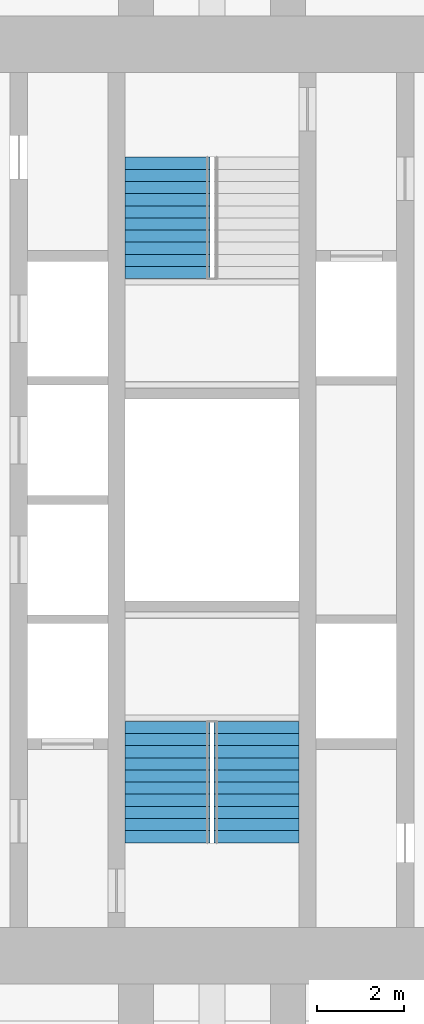
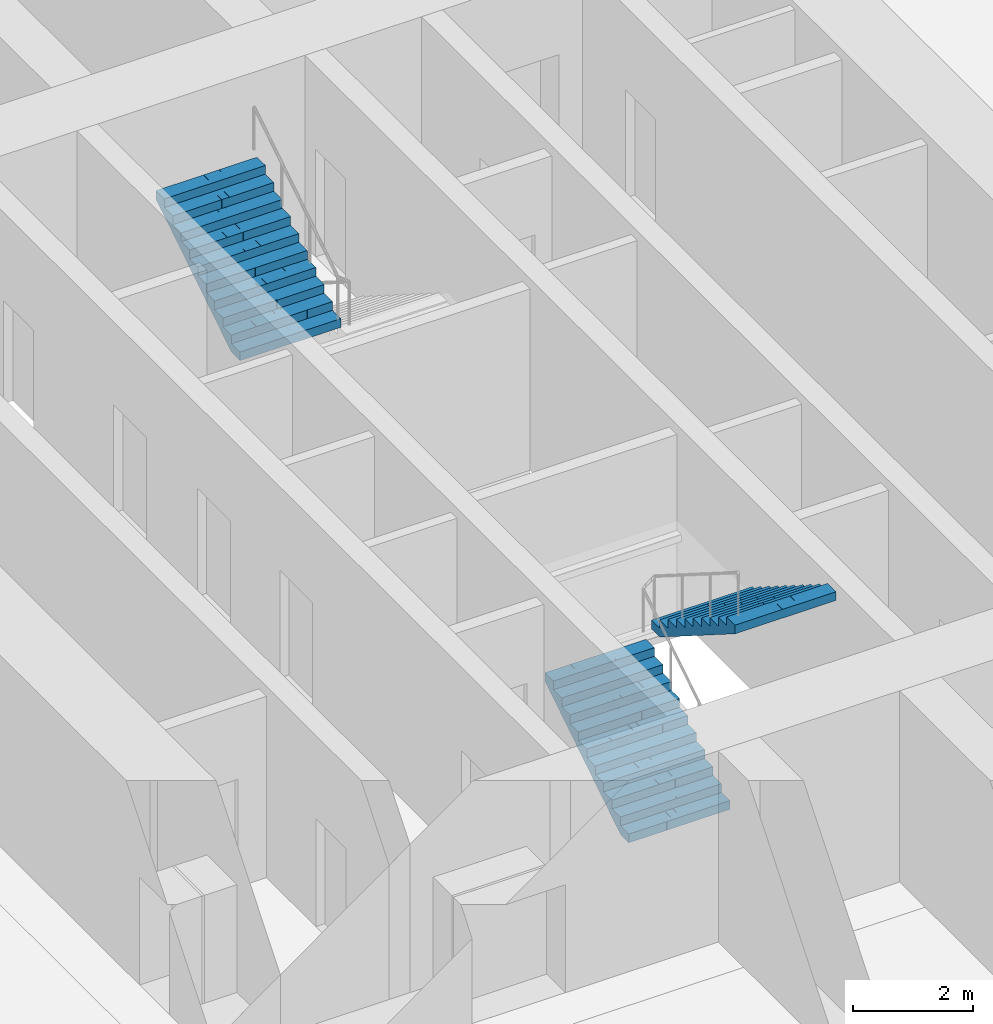
# One storey, part 18 of 20: 3 stair flights, 2 elements without a shape of their own.
"""IFC4 building model written with IfcOpenShell, lengths in metres."""

from ifc_helpers import new_model, si_unit, direction, frame, origin, place, context, subcontext, project, spatial, polyline, outline, extrude, material, type_object, element, aggregate, save


model = new_model("IFC4")

# Units and contexts
model_context = context("Model", 3, precision=1e-05, world=origin(), true_north=direction((0.0, 1.0)))
body_context = subcontext(model_context, "Body", "Model", "MODEL_VIEW")
ifc_project = project(units=[si_unit("LENGTHUNIT", "METRE"), si_unit("AREAUNIT", "SQUARE_METRE"), si_unit("VOLUMEUNIT", "CUBIC_METRE"), si_unit("PLANEANGLEUNIT", "RADIAN"), si_unit("MASSUNIT", "GRAM", prefix="KILO")], contexts=[model_context])

# Site, building, storey
site_placement = place(None, origin())
site = spatial("IfcSite", under=ifc_project, at=site_placement, CompositionType="ELEMENT")
building_placement = place(site_placement, origin())
building = spatial("IfcBuilding", under=site, at=building_placement, Name="Mizan Broadcast Tower", CompositionType="ELEMENT")
storey_placement = place(building_placement, frame((0.0, 0.0, 155.39990234375)))
storey = spatial("IfcBuildingStorey", under=building, at=storey_placement, Name="L35", CompositionType="ELEMENT", Elevation=155.39990234375)

# Stair, stair flights
ifc_material_1 = material(Name="Concrete C40/50", Category="concrete")
stair_type = type_object("IfcStairType", Name="EXIT STAIR", PredefinedType="HALF_TURN_STAIR", material=ifc_material_1)
stair_1_placement = place(storey_placement, origin())
stair_1 = element("IfcStair", 1, at=stair_1_placement, inside=storey, type_object=stair_type, Name="Stair A L35", PredefinedType="HALF_TURN_STAIR")
ifc_material_2 = material(Name="Concrete C40/50", Category="concrete")
stair_flight_type = type_object("IfcStairFlightType", Name="EXIT STAIR FLIGHT", PredefinedType="STRAIGHT", material=ifc_material_2)
stair_flight_1_placement = place(storey_placement, frame((-1.02490234375, -7.89990234375, 0.0), z_axis=(0.0, 0.0, 1.0), x_axis=(0.0, 1.0, 0.0)))
stair_flight_1 = element("IfcStairFlight", 2, at=stair_flight_1_placement, type_object=stair_flight_type, Name="A flight 1", NumberOfRisers=11, NumberOfTreads=10, PredefinedType="STRAIGHT", RiserHeight=0.177272727, TreadLength=0.28, context=body_context, shape_type="SweptSolid", body=[
    extrude(outline(polyline([(0.0, 0.0), (0.0, 0.17724609375), (0.280029296875, 0.17724609375), (0.280029296875, 0.3544921875), (0.56005859375, 0.3544921875), (0.56005859375, 0.53173828125), (0.840087890625, 0.53173828125), (0.840087890625, 0.708984375), (1.1201171875, 0.708984375), (1.1201171875, 0.886474609375), (1.39990234375, 0.886474609375), (1.39990234375, 1.063720703125), (1.679931640625, 1.063720703125), (1.679931640625, 1.240966796875), (1.9599609375, 1.240966796875), (1.9599609375, 1.418212890625), (2.239990234375, 1.418212890625), (2.239990234375, 1.595458984375), (2.52001953125, 1.595458984375), (2.52001953125, 1.772705078125), (2.800048828125, 1.772705078125), (2.800048828125, 1.949951171875), (2.800048828125, 1.59521484375), (0.2802734375, 0.0), (0.0, 0.0)])), frame((0.0, 0.97509765625, 0.0), z_axis=(0.0, -1.0, 0.0), x_axis=(1.0, 0.0, 0.0)), (0.0, 0.0, 1.0), 0.4873046875),
    extrude(outline(polyline([(0.0, 0.0), (0.0, 0.17724609375), (0.280029296875, 0.17724609375), (0.280029296875, 0.3544921875), (0.56005859375, 0.3544921875), (0.56005859375, 0.53173828125), (0.840087890625, 0.53173828125), (0.840087890625, 0.708984375), (1.1201171875, 0.708984375), (1.1201171875, 0.886474609375), (1.39990234375, 0.886474609375), (1.39990234375, 1.063720703125), (1.679931640625, 1.063720703125), (1.679931640625, 1.240966796875), (1.9599609375, 1.240966796875), (1.9599609375, 1.418212890625), (2.239990234375, 1.418212890625), (2.239990234375, 1.595458984375), (2.52001953125, 1.595458984375), (2.52001953125, 1.772705078125), (2.800048828125, 1.772705078125), (2.800048828125, 1.949951171875), (2.800048828125, 1.59521484375), (0.2802734375, 0.0), (0.0, 0.0)])), frame((0.0, 0.4873046875, 0.0), z_axis=(0.0, -1.0, 0.0), x_axis=(1.0, 0.0, 0.0)), (0.0, 0.0, 1.0), 0.2431640625),
    extrude(outline(polyline([(0.0, 0.0), (0.0, 0.17724609375), (0.280029296875, 0.17724609375), (0.280029296875, 0.3544921875), (0.56005859375, 0.3544921875), (0.56005859375, 0.53173828125), (0.840087890625, 0.53173828125), (0.840087890625, 0.708984375), (1.1201171875, 0.708984375), (1.1201171875, 0.886474609375), (1.39990234375, 0.886474609375), (1.39990234375, 1.063720703125), (1.679931640625, 1.063720703125), (1.679931640625, 1.240966796875), (1.9599609375, 1.240966796875), (1.9599609375, 1.418212890625), (2.239990234375, 1.418212890625), (2.239990234375, 1.595458984375), (2.52001953125, 1.595458984375), (2.52001953125, 1.772705078125), (2.800048828125, 1.772705078125), (2.800048828125, 1.949951171875), (2.800048828125, 1.59521484375), (0.2802734375, 0.0), (0.0, 0.0)])), frame((0.0, 0.24365234375, 0.0), z_axis=(0.0, -1.0, 0.0), x_axis=(1.0, 0.0, 0.0)), (0.0, 0.0, 1.0), 0.121337890625),
    extrude(outline(polyline([(0.0, 0.0), (0.0, 0.17724609375), (0.280029296875, 0.17724609375), (0.280029296875, 0.3544921875), (0.56005859375, 0.3544921875), (0.56005859375, 0.53173828125), (0.840087890625, 0.53173828125), (0.840087890625, 0.708984375), (1.1201171875, 0.708984375), (1.1201171875, 0.886474609375), (1.39990234375, 0.886474609375), (1.39990234375, 1.063720703125), (1.679931640625, 1.063720703125), (1.679931640625, 1.240966796875), (1.9599609375, 1.240966796875), (1.9599609375, 1.418212890625), (2.239990234375, 1.418212890625), (2.239990234375, 1.595458984375), (2.52001953125, 1.595458984375), (2.52001953125, 1.772705078125), (2.800048828125, 1.772705078125), (2.800048828125, 1.949951171875), (2.800048828125, 1.59521484375), (0.2802734375, 0.0), (0.0, 0.0)])), frame((0.0, 0.121826171875, 0.0), z_axis=(0.0, -1.0, 0.0), x_axis=(1.0, 0.0, 0.0)), (0.0, 0.0, 1.0), 0.060546875),
    extrude(outline(polyline([(0.0, 0.0), (0.0, 0.17724609375), (0.280029296875, 0.17724609375), (0.280029296875, 0.3544921875), (0.56005859375, 0.3544921875), (0.56005859375, 0.53173828125), (0.840087890625, 0.53173828125), (0.840087890625, 0.708984375), (1.1201171875, 0.708984375), (1.1201171875, 0.886474609375), (1.39990234375, 0.886474609375), (1.39990234375, 1.063720703125), (1.679931640625, 1.063720703125), (1.679931640625, 1.240966796875), (1.9599609375, 1.240966796875), (1.9599609375, 1.418212890625), (2.239990234375, 1.418212890625), (2.239990234375, 1.595458984375), (2.52001953125, 1.595458984375), (2.52001953125, 1.772705078125), (2.800048828125, 1.772705078125), (2.800048828125, 1.949951171875), (2.800048828125, 1.59521484375), (0.2802734375, 0.0), (0.0, 0.0)])), frame((0.0, 0.060791015625, 0.0), z_axis=(0.0, -1.0, 0.0), x_axis=(1.0, 0.0, 0.0)), (0.0, 0.0, 1.0), 0.030029296875),
    extrude(outline(polyline([(0.0, 0.0), (0.0, 0.17724609375), (0.280029296875, 0.17724609375), (0.280029296875, 0.3544921875), (0.56005859375, 0.3544921875), (0.56005859375, 0.53173828125), (0.840087890625, 0.53173828125), (0.840087890625, 0.708984375), (1.1201171875, 0.708984375), (1.1201171875, 0.886474609375), (1.39990234375, 0.886474609375), (1.39990234375, 1.063720703125), (1.679931640625, 1.063720703125), (1.679931640625, 1.240966796875), (1.9599609375, 1.240966796875), (1.9599609375, 1.418212890625), (2.239990234375, 1.418212890625), (2.239990234375, 1.595458984375), (2.52001953125, 1.595458984375), (2.52001953125, 1.772705078125), (2.800048828125, 1.772705078125), (2.800048828125, 1.949951171875), (2.800048828125, 1.59521484375), (0.2802734375, 0.0), (0.0, 0.0)])), frame((0.0, 0.0302734375, 0.0), z_axis=(0.0, -1.0, 0.0), x_axis=(1.0, 0.0, 0.0)), (0.0, 0.0, 1.0), 0.060302734375),
    extrude(outline(polyline([(0.0, 0.0), (0.0, 0.17724609375), (0.280029296875, 0.17724609375), (0.280029296875, 0.3544921875), (0.56005859375, 0.3544921875), (0.56005859375, 0.53173828125), (0.840087890625, 0.53173828125), (0.840087890625, 0.708984375), (1.1201171875, 0.708984375), (1.1201171875, 0.886474609375), (1.39990234375, 0.886474609375), (1.39990234375, 1.063720703125), (1.679931640625, 1.063720703125), (1.679931640625, 1.240966796875), (1.9599609375, 1.240966796875), (1.9599609375, 1.418212890625), (2.239990234375, 1.418212890625), (2.239990234375, 1.595458984375), (2.52001953125, 1.595458984375), (2.52001953125, 1.772705078125), (2.800048828125, 1.772705078125), (2.800048828125, 1.949951171875), (2.800048828125, 1.59521484375), (0.2802734375, 0.0), (0.0, 0.0)])), frame((0.0, -0.030517578125, 0.0), z_axis=(0.0, -1.0, 0.0), x_axis=(1.0, 0.0, 0.0)), (0.0, 0.0, 1.0), 0.030029296875),
    extrude(outline(polyline([(0.0, 0.0), (0.0, 0.17724609375), (0.280029296875, 0.17724609375), (0.280029296875, 0.3544921875), (0.56005859375, 0.3544921875), (0.56005859375, 0.53173828125), (0.840087890625, 0.53173828125), (0.840087890625, 0.708984375), (1.1201171875, 0.708984375), (1.1201171875, 0.886474609375), (1.39990234375, 0.886474609375), (1.39990234375, 1.063720703125), (1.679931640625, 1.063720703125), (1.679931640625, 1.240966796875), (1.9599609375, 1.240966796875), (1.9599609375, 1.418212890625), (2.239990234375, 1.418212890625), (2.239990234375, 1.595458984375), (2.52001953125, 1.595458984375), (2.52001953125, 1.772705078125), (2.800048828125, 1.772705078125), (2.800048828125, 1.949951171875), (2.800048828125, 1.59521484375), (0.2802734375, 0.0), (0.0, 0.0)])), frame((0.0, -0.06103515625, 0.0), z_axis=(0.0, -1.0, 0.0), x_axis=(1.0, 0.0, 0.0)), (0.0, 0.0, 1.0), 0.060546875),
    extrude(outline(polyline([(0.0, 0.0), (0.0, 0.17724609375), (0.280029296875, 0.17724609375), (0.280029296875, 0.3544921875), (0.56005859375, 0.3544921875), (0.56005859375, 0.53173828125), (0.840087890625, 0.53173828125), (0.840087890625, 0.708984375), (1.1201171875, 0.708984375), (1.1201171875, 0.886474609375), (1.39990234375, 0.886474609375), (1.39990234375, 1.063720703125), (1.679931640625, 1.063720703125), (1.679931640625, 1.240966796875), (1.9599609375, 1.240966796875), (1.9599609375, 1.418212890625), (2.239990234375, 1.418212890625), (2.239990234375, 1.595458984375), (2.52001953125, 1.595458984375), (2.52001953125, 1.772705078125), (2.800048828125, 1.772705078125), (2.800048828125, 1.949951171875), (2.800048828125, 1.59521484375), (0.2802734375, 0.0), (0.0, 0.0)])), frame((0.0, -0.1220703125, 0.0), z_axis=(0.0, -1.0, 0.0), x_axis=(1.0, 0.0, 0.0)), (0.0, 0.0, 1.0), 0.121337890625),
    extrude(outline(polyline([(0.0, 0.0), (0.0, 0.17724609375), (0.280029296875, 0.17724609375), (0.280029296875, 0.3544921875), (0.56005859375, 0.3544921875), (0.56005859375, 0.53173828125), (0.840087890625, 0.53173828125), (0.840087890625, 0.708984375), (1.1201171875, 0.708984375), (1.1201171875, 0.886474609375), (1.39990234375, 0.886474609375), (1.39990234375, 1.063720703125), (1.679931640625, 1.063720703125), (1.679931640625, 1.240966796875), (1.9599609375, 1.240966796875), (1.9599609375, 1.418212890625), (2.239990234375, 1.418212890625), (2.239990234375, 1.595458984375), (2.52001953125, 1.595458984375), (2.52001953125, 1.772705078125), (2.800048828125, 1.772705078125), (2.800048828125, 1.949951171875), (2.800048828125, 1.59521484375), (0.2802734375, 0.0), (0.0, 0.0)])), frame((0.0, -0.243896484375, 0.0), z_axis=(0.0, -1.0, 0.0), x_axis=(1.0, 0.0, 0.0)), (0.0, 0.0, 1.0), 0.2431640625),
    extrude(outline(polyline([(0.0, 0.0), (0.0, 0.17724609375), (0.280029296875, 0.17724609375), (0.280029296875, 0.3544921875), (0.56005859375, 0.3544921875), (0.56005859375, 0.53173828125), (0.840087890625, 0.53173828125), (0.840087890625, 0.708984375), (1.1201171875, 0.708984375), (1.1201171875, 0.886474609375), (1.39990234375, 0.886474609375), (1.39990234375, 1.063720703125), (1.679931640625, 1.063720703125), (1.679931640625, 1.240966796875), (1.9599609375, 1.240966796875), (1.9599609375, 1.418212890625), (2.239990234375, 1.418212890625), (2.239990234375, 1.595458984375), (2.52001953125, 1.595458984375), (2.52001953125, 1.772705078125), (2.800048828125, 1.772705078125), (2.800048828125, 1.949951171875), (2.800048828125, 1.59521484375), (0.2802734375, 0.0), (0.0, 0.0)])), frame((0.0, -0.487548828125, 0.0), z_axis=(0.0, -1.0, 0.0), x_axis=(1.0, 0.0, 0.0)), (0.0, 0.0, 1.0), 0.4873046875),
])
stair_flight_2_placement = place(storey_placement, frame((1.02490234375, -5.10009765625, 1.9501953125), z_axis=(0.0, 0.0, 1.0), x_axis=(0.0, -1.0, 0.0)))
stair_flight_2 = element("IfcStairFlight", 3, at=stair_flight_2_placement, type_object=stair_flight_type, Name="A flight 2", NumberOfRisers=11, NumberOfTreads=10, PredefinedType="STRAIGHT", RiserHeight=0.177272727, TreadLength=0.28, context=body_context, shape_type="SweptSolid", body=[
    extrude(outline(polyline([(0.0, 0.0), (0.0, 0.17724609375), (0.280029296875, 0.17724609375), (0.280029296875, 0.3544921875), (0.56005859375, 0.3544921875), (0.56005859375, 0.53173828125), (0.840087890625, 0.53173828125), (0.840087890625, 0.708984375), (1.1201171875, 0.708984375), (1.1201171875, 0.886474609375), (1.39990234375, 0.886474609375), (1.39990234375, 1.063720703125), (1.679931640625, 1.063720703125), (1.679931640625, 1.240966796875), (1.9599609375, 1.240966796875), (1.9599609375, 1.418212890625), (2.239990234375, 1.418212890625), (2.239990234375, 1.595458984375), (2.52001953125, 1.595458984375), (2.52001953125, 1.772705078125), (2.800048828125, 1.772705078125), (2.800048828125, 1.949951171875), (2.800048828125, 1.59521484375), (0.2802734375, 0.0), (0.0, 0.0)])), frame((0.0, 0.97509765625, 0.0), z_axis=(0.0, -1.0, 0.0), x_axis=(1.0, 0.0, 0.0)), (0.0, 0.0, 1.0), 0.4873046875),
    extrude(outline(polyline([(0.0, 0.0), (0.0, 0.17724609375), (0.280029296875, 0.17724609375), (0.280029296875, 0.3544921875), (0.56005859375, 0.3544921875), (0.56005859375, 0.53173828125), (0.840087890625, 0.53173828125), (0.840087890625, 0.708984375), (1.1201171875, 0.708984375), (1.1201171875, 0.886474609375), (1.39990234375, 0.886474609375), (1.39990234375, 1.063720703125), (1.679931640625, 1.063720703125), (1.679931640625, 1.240966796875), (1.9599609375, 1.240966796875), (1.9599609375, 1.418212890625), (2.239990234375, 1.418212890625), (2.239990234375, 1.595458984375), (2.52001953125, 1.595458984375), (2.52001953125, 1.772705078125), (2.800048828125, 1.772705078125), (2.800048828125, 1.949951171875), (2.800048828125, 1.59521484375), (0.2802734375, 0.0), (0.0, 0.0)])), frame((0.0, 0.4873046875, 0.0), z_axis=(0.0, -1.0, 0.0), x_axis=(1.0, 0.0, 0.0)), (0.0, 0.0, 1.0), 0.2431640625),
    extrude(outline(polyline([(0.0, 0.0), (0.0, 0.17724609375), (0.280029296875, 0.17724609375), (0.280029296875, 0.3544921875), (0.56005859375, 0.3544921875), (0.56005859375, 0.53173828125), (0.840087890625, 0.53173828125), (0.840087890625, 0.708984375), (1.1201171875, 0.708984375), (1.1201171875, 0.886474609375), (1.39990234375, 0.886474609375), (1.39990234375, 1.063720703125), (1.679931640625, 1.063720703125), (1.679931640625, 1.240966796875), (1.9599609375, 1.240966796875), (1.9599609375, 1.418212890625), (2.239990234375, 1.418212890625), (2.239990234375, 1.595458984375), (2.52001953125, 1.595458984375), (2.52001953125, 1.772705078125), (2.800048828125, 1.772705078125), (2.800048828125, 1.949951171875), (2.800048828125, 1.59521484375), (0.2802734375, 0.0), (0.0, 0.0)])), frame((0.0, 0.24365234375, 0.0), z_axis=(0.0, -1.0, 0.0), x_axis=(1.0, 0.0, 0.0)), (0.0, 0.0, 1.0), 0.121337890625),
    extrude(outline(polyline([(0.0, 0.0), (0.0, 0.17724609375), (0.280029296875, 0.17724609375), (0.280029296875, 0.3544921875), (0.56005859375, 0.3544921875), (0.56005859375, 0.53173828125), (0.840087890625, 0.53173828125), (0.840087890625, 0.708984375), (1.1201171875, 0.708984375), (1.1201171875, 0.886474609375), (1.39990234375, 0.886474609375), (1.39990234375, 1.063720703125), (1.679931640625, 1.063720703125), (1.679931640625, 1.240966796875), (1.9599609375, 1.240966796875), (1.9599609375, 1.418212890625), (2.239990234375, 1.418212890625), (2.239990234375, 1.595458984375), (2.52001953125, 1.595458984375), (2.52001953125, 1.772705078125), (2.800048828125, 1.772705078125), (2.800048828125, 1.949951171875), (2.800048828125, 1.59521484375), (0.2802734375, 0.0), (0.0, 0.0)])), frame((0.0, 0.121826171875, 0.0), z_axis=(0.0, -1.0, 0.0), x_axis=(1.0, 0.0, 0.0)), (0.0, 0.0, 1.0), 0.060546875),
    extrude(outline(polyline([(0.0, 0.0), (0.0, 0.17724609375), (0.280029296875, 0.17724609375), (0.280029296875, 0.3544921875), (0.56005859375, 0.3544921875), (0.56005859375, 0.53173828125), (0.840087890625, 0.53173828125), (0.840087890625, 0.708984375), (1.1201171875, 0.708984375), (1.1201171875, 0.886474609375), (1.39990234375, 0.886474609375), (1.39990234375, 1.063720703125), (1.679931640625, 1.063720703125), (1.679931640625, 1.240966796875), (1.9599609375, 1.240966796875), (1.9599609375, 1.418212890625), (2.239990234375, 1.418212890625), (2.239990234375, 1.595458984375), (2.52001953125, 1.595458984375), (2.52001953125, 1.772705078125), (2.800048828125, 1.772705078125), (2.800048828125, 1.949951171875), (2.800048828125, 1.59521484375), (0.2802734375, 0.0), (0.0, 0.0)])), frame((0.0, 0.060791015625, 0.0), z_axis=(0.0, -1.0, 0.0), x_axis=(1.0, 0.0, 0.0)), (0.0, 0.0, 1.0), 0.030029296875),
    extrude(outline(polyline([(0.0, 0.0), (0.0, 0.17724609375), (0.280029296875, 0.17724609375), (0.280029296875, 0.3544921875), (0.56005859375, 0.3544921875), (0.56005859375, 0.53173828125), (0.840087890625, 0.53173828125), (0.840087890625, 0.708984375), (1.1201171875, 0.708984375), (1.1201171875, 0.886474609375), (1.39990234375, 0.886474609375), (1.39990234375, 1.063720703125), (1.679931640625, 1.063720703125), (1.679931640625, 1.240966796875), (1.9599609375, 1.240966796875), (1.9599609375, 1.418212890625), (2.239990234375, 1.418212890625), (2.239990234375, 1.595458984375), (2.52001953125, 1.595458984375), (2.52001953125, 1.772705078125), (2.800048828125, 1.772705078125), (2.800048828125, 1.949951171875), (2.800048828125, 1.59521484375), (0.2802734375, 0.0), (0.0, 0.0)])), frame((0.0, 0.0302734375, 0.0), z_axis=(0.0, -1.0, 0.0), x_axis=(1.0, 0.0, 0.0)), (0.0, 0.0, 1.0), 0.060302734375),
    extrude(outline(polyline([(0.0, 0.0), (0.0, 0.17724609375), (0.280029296875, 0.17724609375), (0.280029296875, 0.3544921875), (0.56005859375, 0.3544921875), (0.56005859375, 0.53173828125), (0.840087890625, 0.53173828125), (0.840087890625, 0.708984375), (1.1201171875, 0.708984375), (1.1201171875, 0.886474609375), (1.39990234375, 0.886474609375), (1.39990234375, 1.063720703125), (1.679931640625, 1.063720703125), (1.679931640625, 1.240966796875), (1.9599609375, 1.240966796875), (1.9599609375, 1.418212890625), (2.239990234375, 1.418212890625), (2.239990234375, 1.595458984375), (2.52001953125, 1.595458984375), (2.52001953125, 1.772705078125), (2.800048828125, 1.772705078125), (2.800048828125, 1.949951171875), (2.800048828125, 1.59521484375), (0.2802734375, 0.0), (0.0, 0.0)])), frame((0.0, -0.030517578125, 0.0), z_axis=(0.0, -1.0, 0.0), x_axis=(1.0, 0.0, 0.0)), (0.0, 0.0, 1.0), 0.030029296875),
    extrude(outline(polyline([(0.0, 0.0), (0.0, 0.17724609375), (0.280029296875, 0.17724609375), (0.280029296875, 0.3544921875), (0.56005859375, 0.3544921875), (0.56005859375, 0.53173828125), (0.840087890625, 0.53173828125), (0.840087890625, 0.708984375), (1.1201171875, 0.708984375), (1.1201171875, 0.886474609375), (1.39990234375, 0.886474609375), (1.39990234375, 1.063720703125), (1.679931640625, 1.063720703125), (1.679931640625, 1.240966796875), (1.9599609375, 1.240966796875), (1.9599609375, 1.418212890625), (2.239990234375, 1.418212890625), (2.239990234375, 1.595458984375), (2.52001953125, 1.595458984375), (2.52001953125, 1.772705078125), (2.800048828125, 1.772705078125), (2.800048828125, 1.949951171875), (2.800048828125, 1.59521484375), (0.2802734375, 0.0), (0.0, 0.0)])), frame((0.0, -0.06103515625, 0.0), z_axis=(0.0, -1.0, 0.0), x_axis=(1.0, 0.0, 0.0)), (0.0, 0.0, 1.0), 0.060546875),
    extrude(outline(polyline([(0.0, 0.0), (0.0, 0.17724609375), (0.280029296875, 0.17724609375), (0.280029296875, 0.3544921875), (0.56005859375, 0.3544921875), (0.56005859375, 0.53173828125), (0.840087890625, 0.53173828125), (0.840087890625, 0.708984375), (1.1201171875, 0.708984375), (1.1201171875, 0.886474609375), (1.39990234375, 0.886474609375), (1.39990234375, 1.063720703125), (1.679931640625, 1.063720703125), (1.679931640625, 1.240966796875), (1.9599609375, 1.240966796875), (1.9599609375, 1.418212890625), (2.239990234375, 1.418212890625), (2.239990234375, 1.595458984375), (2.52001953125, 1.595458984375), (2.52001953125, 1.772705078125), (2.800048828125, 1.772705078125), (2.800048828125, 1.949951171875), (2.800048828125, 1.59521484375), (0.2802734375, 0.0), (0.0, 0.0)])), frame((0.0, -0.1220703125, 0.0), z_axis=(0.0, -1.0, 0.0), x_axis=(1.0, 0.0, 0.0)), (0.0, 0.0, 1.0), 0.121337890625),
    extrude(outline(polyline([(0.0, 0.0), (0.0, 0.17724609375), (0.280029296875, 0.17724609375), (0.280029296875, 0.3544921875), (0.56005859375, 0.3544921875), (0.56005859375, 0.53173828125), (0.840087890625, 0.53173828125), (0.840087890625, 0.708984375), (1.1201171875, 0.708984375), (1.1201171875, 0.886474609375), (1.39990234375, 0.886474609375), (1.39990234375, 1.063720703125), (1.679931640625, 1.063720703125), (1.679931640625, 1.240966796875), (1.9599609375, 1.240966796875), (1.9599609375, 1.418212890625), (2.239990234375, 1.418212890625), (2.239990234375, 1.595458984375), (2.52001953125, 1.595458984375), (2.52001953125, 1.772705078125), (2.800048828125, 1.772705078125), (2.800048828125, 1.949951171875), (2.800048828125, 1.59521484375), (0.2802734375, 0.0), (0.0, 0.0)])), frame((0.0, -0.243896484375, 0.0), z_axis=(0.0, -1.0, 0.0), x_axis=(1.0, 0.0, 0.0)), (0.0, 0.0, 1.0), 0.2431640625),
    extrude(outline(polyline([(0.0, 0.0), (0.0, 0.17724609375), (0.280029296875, 0.17724609375), (0.280029296875, 0.3544921875), (0.56005859375, 0.3544921875), (0.56005859375, 0.53173828125), (0.840087890625, 0.53173828125), (0.840087890625, 0.708984375), (1.1201171875, 0.708984375), (1.1201171875, 0.886474609375), (1.39990234375, 0.886474609375), (1.39990234375, 1.063720703125), (1.679931640625, 1.063720703125), (1.679931640625, 1.240966796875), (1.9599609375, 1.240966796875), (1.9599609375, 1.418212890625), (2.239990234375, 1.418212890625), (2.239990234375, 1.595458984375), (2.52001953125, 1.595458984375), (2.52001953125, 1.772705078125), (2.800048828125, 1.772705078125), (2.800048828125, 1.949951171875), (2.800048828125, 1.59521484375), (0.2802734375, 0.0), (0.0, 0.0)])), frame((0.0, -0.487548828125, 0.0), z_axis=(0.0, -1.0, 0.0), x_axis=(1.0, 0.0, 0.0)), (0.0, 0.0, 1.0), 0.4873046875),
])
aggregate(stair_1, [stair_flight_1, stair_flight_2])

# Stair, stair flight
stair_2_placement = place(storey_placement, origin())
stair_2 = element("IfcStair", 4, at=stair_2_placement, inside=storey, type_object=stair_type, Name="Stair B L35", PredefinedType="HALF_TURN_STAIR")
stair_flight_3_placement = place(storey_placement, frame((-1.02490234375, 5.10009765625, 1.9501953125), z_axis=(0.0, 0.0, 1.0), x_axis=(0.0, 1.0, 0.0)))
stair_flight_3 = element("IfcStairFlight", 5, at=stair_flight_3_placement, type_object=stair_flight_type, Name="B flight 2", NumberOfRisers=11, NumberOfTreads=10, PredefinedType="STRAIGHT", RiserHeight=0.177272727, TreadLength=0.28, context=body_context, shape_type="SweptSolid", body=[
    extrude(outline(polyline([(0.0, 0.0), (0.0, 0.17724609375), (0.280029296875, 0.17724609375), (0.280029296875, 0.3544921875), (0.56005859375, 0.3544921875), (0.56005859375, 0.53173828125), (0.840087890625, 0.53173828125), (0.840087890625, 0.708984375), (1.1201171875, 0.708984375), (1.1201171875, 0.886474609375), (1.39990234375, 0.886474609375), (1.39990234375, 1.063720703125), (1.679931640625, 1.063720703125), (1.679931640625, 1.240966796875), (1.9599609375, 1.240966796875), (1.9599609375, 1.418212890625), (2.239990234375, 1.418212890625), (2.239990234375, 1.595458984375), (2.52001953125, 1.595458984375), (2.52001953125, 1.772705078125), (2.800048828125, 1.772705078125), (2.800048828125, 1.949951171875), (2.800048828125, 1.59521484375), (0.2802734375, 0.0), (0.0, 0.0)])), frame((0.0, 0.97509765625, 0.0), z_axis=(0.0, -1.0, 0.0), x_axis=(1.0, 0.0, 0.0)), (0.0, 0.0, 1.0), 0.4873046875),
    extrude(outline(polyline([(0.0, 0.0), (0.0, 0.17724609375), (0.280029296875, 0.17724609375), (0.280029296875, 0.3544921875), (0.56005859375, 0.3544921875), (0.56005859375, 0.53173828125), (0.840087890625, 0.53173828125), (0.840087890625, 0.708984375), (1.1201171875, 0.708984375), (1.1201171875, 0.886474609375), (1.39990234375, 0.886474609375), (1.39990234375, 1.063720703125), (1.679931640625, 1.063720703125), (1.679931640625, 1.240966796875), (1.9599609375, 1.240966796875), (1.9599609375, 1.418212890625), (2.239990234375, 1.418212890625), (2.239990234375, 1.595458984375), (2.52001953125, 1.595458984375), (2.52001953125, 1.772705078125), (2.800048828125, 1.772705078125), (2.800048828125, 1.949951171875), (2.800048828125, 1.59521484375), (0.2802734375, 0.0), (0.0, 0.0)])), frame((0.0, 0.4873046875, 0.0), z_axis=(0.0, -1.0, 0.0), x_axis=(1.0, 0.0, 0.0)), (0.0, 0.0, 1.0), 0.2431640625),
    extrude(outline(polyline([(0.0, 0.0), (0.0, 0.17724609375), (0.280029296875, 0.17724609375), (0.280029296875, 0.3544921875), (0.56005859375, 0.3544921875), (0.56005859375, 0.53173828125), (0.840087890625, 0.53173828125), (0.840087890625, 0.708984375), (1.1201171875, 0.708984375), (1.1201171875, 0.886474609375), (1.39990234375, 0.886474609375), (1.39990234375, 1.063720703125), (1.679931640625, 1.063720703125), (1.679931640625, 1.240966796875), (1.9599609375, 1.240966796875), (1.9599609375, 1.418212890625), (2.239990234375, 1.418212890625), (2.239990234375, 1.595458984375), (2.52001953125, 1.595458984375), (2.52001953125, 1.772705078125), (2.800048828125, 1.772705078125), (2.800048828125, 1.949951171875), (2.800048828125, 1.59521484375), (0.2802734375, 0.0), (0.0, 0.0)])), frame((0.0, 0.24365234375, 0.0), z_axis=(0.0, -1.0, 0.0), x_axis=(1.0, 0.0, 0.0)), (0.0, 0.0, 1.0), 0.121337890625),
    extrude(outline(polyline([(0.0, 0.0), (0.0, 0.17724609375), (0.280029296875, 0.17724609375), (0.280029296875, 0.3544921875), (0.56005859375, 0.3544921875), (0.56005859375, 0.53173828125), (0.840087890625, 0.53173828125), (0.840087890625, 0.708984375), (1.1201171875, 0.708984375), (1.1201171875, 0.886474609375), (1.39990234375, 0.886474609375), (1.39990234375, 1.063720703125), (1.679931640625, 1.063720703125), (1.679931640625, 1.240966796875), (1.9599609375, 1.240966796875), (1.9599609375, 1.418212890625), (2.239990234375, 1.418212890625), (2.239990234375, 1.595458984375), (2.52001953125, 1.595458984375), (2.52001953125, 1.772705078125), (2.800048828125, 1.772705078125), (2.800048828125, 1.949951171875), (2.800048828125, 1.59521484375), (0.2802734375, 0.0), (0.0, 0.0)])), frame((0.0, 0.121826171875, 0.0), z_axis=(0.0, -1.0, 0.0), x_axis=(1.0, 0.0, 0.0)), (0.0, 0.0, 1.0), 0.060546875),
    extrude(outline(polyline([(0.0, 0.0), (0.0, 0.17724609375), (0.280029296875, 0.17724609375), (0.280029296875, 0.3544921875), (0.56005859375, 0.3544921875), (0.56005859375, 0.53173828125), (0.840087890625, 0.53173828125), (0.840087890625, 0.708984375), (1.1201171875, 0.708984375), (1.1201171875, 0.886474609375), (1.39990234375, 0.886474609375), (1.39990234375, 1.063720703125), (1.679931640625, 1.063720703125), (1.679931640625, 1.240966796875), (1.9599609375, 1.240966796875), (1.9599609375, 1.418212890625), (2.239990234375, 1.418212890625), (2.239990234375, 1.595458984375), (2.52001953125, 1.595458984375), (2.52001953125, 1.772705078125), (2.800048828125, 1.772705078125), (2.800048828125, 1.949951171875), (2.800048828125, 1.59521484375), (0.2802734375, 0.0), (0.0, 0.0)])), frame((0.0, 0.060791015625, 0.0), z_axis=(0.0, -1.0, 0.0), x_axis=(1.0, 0.0, 0.0)), (0.0, 0.0, 1.0), 0.030029296875),
    extrude(outline(polyline([(0.0, 0.0), (0.0, 0.17724609375), (0.280029296875, 0.17724609375), (0.280029296875, 0.3544921875), (0.56005859375, 0.3544921875), (0.56005859375, 0.53173828125), (0.840087890625, 0.53173828125), (0.840087890625, 0.708984375), (1.1201171875, 0.708984375), (1.1201171875, 0.886474609375), (1.39990234375, 0.886474609375), (1.39990234375, 1.063720703125), (1.679931640625, 1.063720703125), (1.679931640625, 1.240966796875), (1.9599609375, 1.240966796875), (1.9599609375, 1.418212890625), (2.239990234375, 1.418212890625), (2.239990234375, 1.595458984375), (2.52001953125, 1.595458984375), (2.52001953125, 1.772705078125), (2.800048828125, 1.772705078125), (2.800048828125, 1.949951171875), (2.800048828125, 1.59521484375), (0.2802734375, 0.0), (0.0, 0.0)])), frame((0.0, 0.0302734375, 0.0), z_axis=(0.0, -1.0, 0.0), x_axis=(1.0, 0.0, 0.0)), (0.0, 0.0, 1.0), 0.060302734375),
    extrude(outline(polyline([(0.0, 0.0), (0.0, 0.17724609375), (0.280029296875, 0.17724609375), (0.280029296875, 0.3544921875), (0.56005859375, 0.3544921875), (0.56005859375, 0.53173828125), (0.840087890625, 0.53173828125), (0.840087890625, 0.708984375), (1.1201171875, 0.708984375), (1.1201171875, 0.886474609375), (1.39990234375, 0.886474609375), (1.39990234375, 1.063720703125), (1.679931640625, 1.063720703125), (1.679931640625, 1.240966796875), (1.9599609375, 1.240966796875), (1.9599609375, 1.418212890625), (2.239990234375, 1.418212890625), (2.239990234375, 1.595458984375), (2.52001953125, 1.595458984375), (2.52001953125, 1.772705078125), (2.800048828125, 1.772705078125), (2.800048828125, 1.949951171875), (2.800048828125, 1.59521484375), (0.2802734375, 0.0), (0.0, 0.0)])), frame((0.0, -0.030517578125, 0.0), z_axis=(0.0, -1.0, 0.0), x_axis=(1.0, 0.0, 0.0)), (0.0, 0.0, 1.0), 0.030029296875),
    extrude(outline(polyline([(0.0, 0.0), (0.0, 0.17724609375), (0.280029296875, 0.17724609375), (0.280029296875, 0.3544921875), (0.56005859375, 0.3544921875), (0.56005859375, 0.53173828125), (0.840087890625, 0.53173828125), (0.840087890625, 0.708984375), (1.1201171875, 0.708984375), (1.1201171875, 0.886474609375), (1.39990234375, 0.886474609375), (1.39990234375, 1.063720703125), (1.679931640625, 1.063720703125), (1.679931640625, 1.240966796875), (1.9599609375, 1.240966796875), (1.9599609375, 1.418212890625), (2.239990234375, 1.418212890625), (2.239990234375, 1.595458984375), (2.52001953125, 1.595458984375), (2.52001953125, 1.772705078125), (2.800048828125, 1.772705078125), (2.800048828125, 1.949951171875), (2.800048828125, 1.59521484375), (0.2802734375, 0.0), (0.0, 0.0)])), frame((0.0, -0.06103515625, 0.0), z_axis=(0.0, -1.0, 0.0), x_axis=(1.0, 0.0, 0.0)), (0.0, 0.0, 1.0), 0.060546875),
    extrude(outline(polyline([(0.0, 0.0), (0.0, 0.17724609375), (0.280029296875, 0.17724609375), (0.280029296875, 0.3544921875), (0.56005859375, 0.3544921875), (0.56005859375, 0.53173828125), (0.840087890625, 0.53173828125), (0.840087890625, 0.708984375), (1.1201171875, 0.708984375), (1.1201171875, 0.886474609375), (1.39990234375, 0.886474609375), (1.39990234375, 1.063720703125), (1.679931640625, 1.063720703125), (1.679931640625, 1.240966796875), (1.9599609375, 1.240966796875), (1.9599609375, 1.418212890625), (2.239990234375, 1.418212890625), (2.239990234375, 1.595458984375), (2.52001953125, 1.595458984375), (2.52001953125, 1.772705078125), (2.800048828125, 1.772705078125), (2.800048828125, 1.949951171875), (2.800048828125, 1.59521484375), (0.2802734375, 0.0), (0.0, 0.0)])), frame((0.0, -0.1220703125, 0.0), z_axis=(0.0, -1.0, 0.0), x_axis=(1.0, 0.0, 0.0)), (0.0, 0.0, 1.0), 0.121337890625),
    extrude(outline(polyline([(0.0, 0.0), (0.0, 0.17724609375), (0.280029296875, 0.17724609375), (0.280029296875, 0.3544921875), (0.56005859375, 0.3544921875), (0.56005859375, 0.53173828125), (0.840087890625, 0.53173828125), (0.840087890625, 0.708984375), (1.1201171875, 0.708984375), (1.1201171875, 0.886474609375), (1.39990234375, 0.886474609375), (1.39990234375, 1.063720703125), (1.679931640625, 1.063720703125), (1.679931640625, 1.240966796875), (1.9599609375, 1.240966796875), (1.9599609375, 1.418212890625), (2.239990234375, 1.418212890625), (2.239990234375, 1.595458984375), (2.52001953125, 1.595458984375), (2.52001953125, 1.772705078125), (2.800048828125, 1.772705078125), (2.800048828125, 1.949951171875), (2.800048828125, 1.59521484375), (0.2802734375, 0.0), (0.0, 0.0)])), frame((0.0, -0.243896484375, 0.0), z_axis=(0.0, -1.0, 0.0), x_axis=(1.0, 0.0, 0.0)), (0.0, 0.0, 1.0), 0.2431640625),
    extrude(outline(polyline([(0.0, 0.0), (0.0, 0.17724609375), (0.280029296875, 0.17724609375), (0.280029296875, 0.3544921875), (0.56005859375, 0.3544921875), (0.56005859375, 0.53173828125), (0.840087890625, 0.53173828125), (0.840087890625, 0.708984375), (1.1201171875, 0.708984375), (1.1201171875, 0.886474609375), (1.39990234375, 0.886474609375), (1.39990234375, 1.063720703125), (1.679931640625, 1.063720703125), (1.679931640625, 1.240966796875), (1.9599609375, 1.240966796875), (1.9599609375, 1.418212890625), (2.239990234375, 1.418212890625), (2.239990234375, 1.595458984375), (2.52001953125, 1.595458984375), (2.52001953125, 1.772705078125), (2.800048828125, 1.772705078125), (2.800048828125, 1.949951171875), (2.800048828125, 1.59521484375), (0.2802734375, 0.0), (0.0, 0.0)])), frame((0.0, -0.487548828125, 0.0), z_axis=(0.0, -1.0, 0.0), x_axis=(1.0, 0.0, 0.0)), (0.0, 0.0, 1.0), 0.4873046875),
])
aggregate(stair_2, [stair_flight_3])

save(model, "model.ifc")
